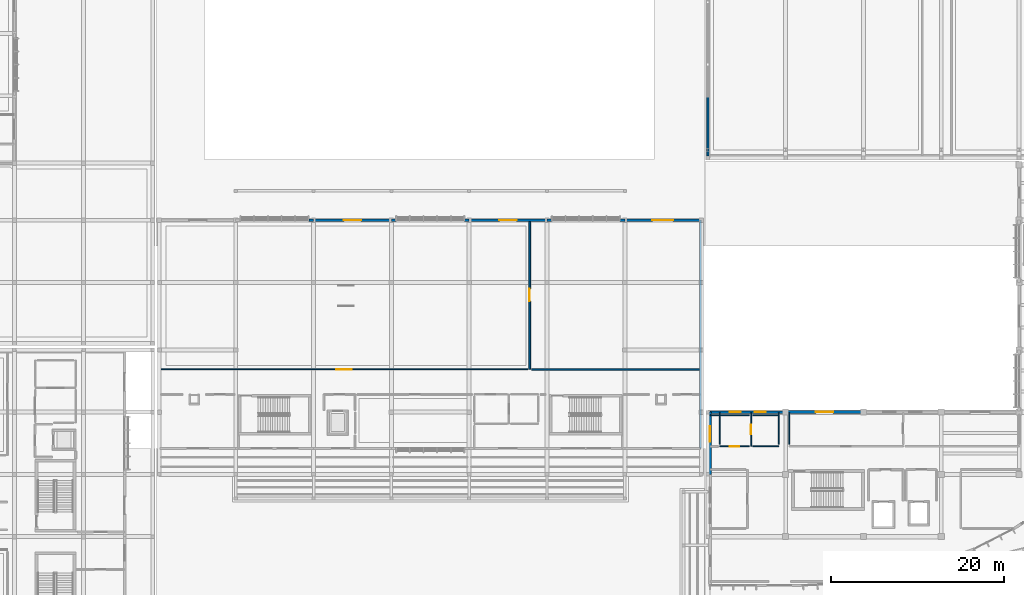
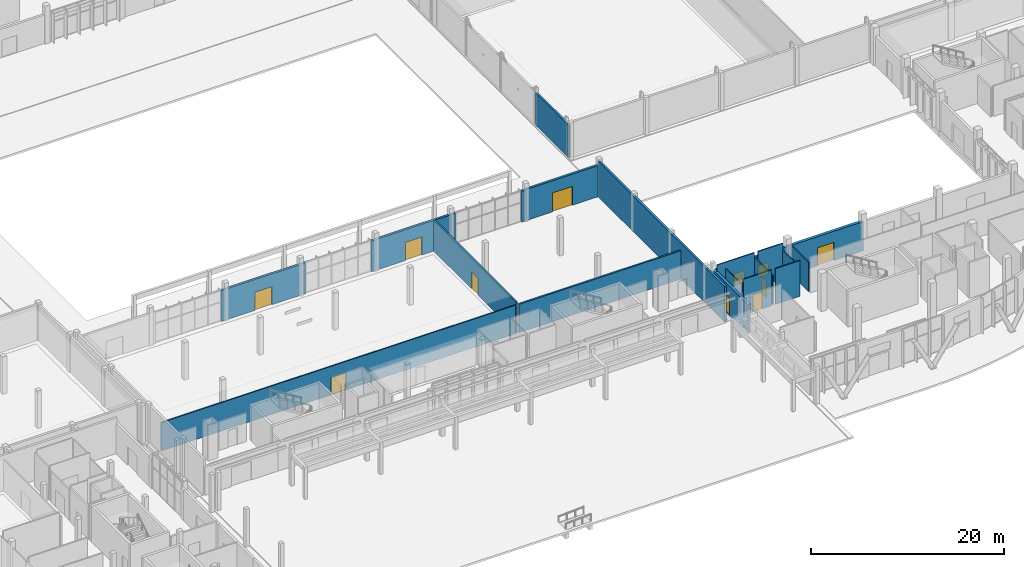
# One storey, part 120 of 151: 24 walls, 9 doors, 2 windows, 11 openings.
"""IFC4 building model written with IfcOpenShell, lengths in metres."""

from ifc_helpers import new_model, si_unit, direction, frame, frame_2d, origin, place, context, subcontext, project, spatial, rectangle, extrude, material, layer, layer_set, type_object, element, fill, save


model = new_model("IFC4")

# Units and contexts
model_context = context("Model", 3, precision=1e-05, world=origin(), true_north=direction((0.0, 1.0)))
body_context = subcontext(model_context, "Body", "Model", "MODEL_VIEW")
ifc_project = project(units=[si_unit("LENGTHUNIT", "METRE"), si_unit("AREAUNIT", "SQUARE_METRE"), si_unit("VOLUMEUNIT", "CUBIC_METRE"), si_unit("PLANEANGLEUNIT", "RADIAN"), si_unit("MASSUNIT", "GRAM", prefix="KILO")], contexts=[model_context])

# Site, building, storey
site_placement = place(None, origin())
site = spatial("IfcSite", under=ifc_project, at=site_placement, CompositionType="ELEMENT")
building_placement = place(site_placement, origin())
building = spatial("IfcBuilding", under=site, at=building_placement, Name="Chiffa Square Polytechnic", CompositionType="ELEMENT")
storey_placement = place(building_placement, origin())
storey = spatial("IfcBuildingStorey", under=building, at=storey_placement, Name="L00", CompositionType="ELEMENT", Elevation=0.0)

# Wall
ifc_material_1 = material(Name="Precast concrete C40/50", Category="concrete")
ifc_layer_1 = layer(ifc_material_1, 0.219970703125, Name="Precast concrete C40/50")
ifc_layer_set_1 = layer_set([ifc_layer_1], Name="Precast concrete C40/50")
wall_type_1 = type_object("IfcWallType", Name="WL-EXT-PC220", PredefinedType="SOLIDWALL", material=ifc_layer_set_1)
wall_1_placement = place(storey_placement, frame((112.199951171875, 65.39990234375, 0.0), z_axis=(0.0, 0.0, 1.0), x_axis=(0.0, -1.0, 0.0)))
element("IfcWall", 1, at=wall_1_placement, inside=storey, type_object=wall_type_1, Name="Exterior wall WE-V2-L00-0113", PredefinedType="SOLIDWALL", context=body_context, shape_type="SweptSolid", body=[
    extrude(rectangle(XDim=6.949951171875, YDim=0.219970703125, at=frame_2d((3.47509765625, 0.0))), origin(), (0.0, 0.0, 1.0), 4.114990234375),
])

# Wall, opening, door
ifc_layer_2 = layer(ifc_material_1, 0.260009765625, Name="Precast concrete C40/50")
ifc_layer_set_2 = layer_set([ifc_layer_2], Name="Precast concrete C40/50")
wall_type_2 = type_object("IfcWallType", Name="WL-EXT-PC260", PredefinedType="SOLIDWALL", material=ifc_layer_set_2)
wall_2_placement = place(storey_placement, frame((111.35009765625, 51.0, 0.0), z_axis=(0.0, 0.0, 1.0), x_axis=(-1.0, 0.0, 0.0)))
wall_2 = element("IfcWall", 2, at=wall_2_placement, inside=storey, type_object=wall_type_2, Name="Exterior wall WE-V4-L00-0193", PredefinedType="SOLIDWALL", context=body_context, shape_type="SweptSolid", body=[
    extrude(rectangle(XDim=8.75, YDim=0.260009765625, at=frame_2d((4.375, 0.0))), origin(), (0.0, 0.0, 1.0), 3.955078125),
])
opening_1_placement = place(wall_2_placement, frame((3.175048828125, 0.0, 0.0)))
opening_1 = element("IfcOpeningElement", 3, at=opening_1_placement, cuts=wall_2, Name="Opening DE-L00-033", PredefinedType="OPENING", context=body_context, shape_type="SweptSolid", body=[
    extrude(rectangle(XDim=2.39990234375, YDim=2.39990234375, at=frame_2d((1.199951171875, 1.199951171875))), frame((0.0, 0.14013671875, 0.0), z_axis=(0.0, -1.0, 0.0), x_axis=(1.0, 0.0, 0.0)), (0.0, 0.0, 1.0), 0.280029296875),
])
ifc_material_2 = material(Name="Aluminium and laminated safety glass", Category="aluminium")
door_type_1 = type_object("IfcDoorType", Name="DR-EXIT-DBL-2400", OperationType="DOUBLE_DOOR_SINGLE_SWING", PredefinedType="DOOR", material=ifc_material_2)
door_1_placement = place(opening_1_placement, origin())
door_1 = element("IfcDoor", 4, at=door_1_placement, inside=storey, type_object=door_type_1, Name="Exterior door DE-L00-033", OperationType="DOUBLE_DOOR_SINGLE_SWING", OverallHeight=2.39990234375, OverallWidth=2.39990234375, PredefinedType="DOOR", context=body_context, shape_type="SweptSolid", body=[
    extrude(rectangle(XDim=2.39990234375, YDim=2.39990234375, at=frame_2d((1.199951171875, 1.199951171875))), frame((0.0, 0.02490234375, 0.0), z_axis=(0.0, -1.0, 0.0), x_axis=(1.0, 0.0, 0.0)), (0.0, 0.0, 1.0), 0.050048828125),
])
fill(opening_1, door_1)

# Walls
wall_3_placement = place(storey_placement, frame((102.60009765625, 51.0, 0.0), z_axis=(0.0, 0.0, 1.0), x_axis=(-1.0, 0.0, 0.0)))
element("IfcWall", 5, at=wall_3_placement, inside=storey, type_object=wall_type_2, Name="Facade column pier V4-L00-0194L", PredefinedType="SOLIDWALL", context=body_context, shape_type="SweptSolid", body=[
    extrude(rectangle(XDim=0.5400390625, YDim=0.260009765625, at=frame_2d((0.27001953125, 0.0))), origin(), (0.0, 0.0, 1.0), 3.905029296875),
])
wall_4_placement = place(storey_placement, frame((94.139892578125, 51.0, 0.0), z_axis=(0.0, 0.0, 1.0), x_axis=(-1.0, 0.0, 0.0)))
element("IfcWall", 6, at=wall_4_placement, inside=storey, type_object=wall_type_2, Name="Facade column pier V4-L00-0194R", PredefinedType="SOLIDWALL", context=body_context, shape_type="SweptSolid", body=[
    extrude(rectangle(XDim=0.539794921875, YDim=0.260009765625, at=frame_2d((0.27001953125, 0.0))), origin(), (0.0, 0.0, 1.0), 3.905029296875),
])

# Wall, opening, door
wall_5_placement = place(storey_placement, frame((93.60009765625, 51.0, 0.0), z_axis=(0.0, 0.0, 1.0), x_axis=(-1.0, 0.0, 0.0)))
wall_5 = element("IfcWall", 7, at=wall_5_placement, inside=storey, type_object=wall_type_2, Name="Exterior wall WE-V4-L00-0195", PredefinedType="SOLIDWALL", context=body_context, shape_type="SweptSolid", body=[
    extrude(rectangle(XDim=9.0, YDim=0.260009765625, at=frame_2d((4.5, 0.0))), origin(), (0.0, 0.0, 1.0), 3.905029296875),
])
opening_2_placement = place(wall_5_placement, frame((3.5, 0.0, 0.0)))
opening_2 = element("IfcOpeningElement", 8, at=opening_2_placement, cuts=wall_5, Name="Opening DE-L00-034", PredefinedType="OPENING", context=body_context, shape_type="SweptSolid", body=[
    extrude(rectangle(XDim=2.0, YDim=2.300048828125, at=frame_2d((1.0, 1.14990234375))), frame((0.0, 0.14013671875, 0.0), z_axis=(0.0, -1.0, 0.0), x_axis=(1.0, 0.0, 0.0)), (0.0, 0.0, 1.0), 0.280029296875),
])
door_type_2 = type_object("IfcDoorType", Name="DR-EXIT-DBL-2000", OperationType="DOUBLE_DOOR_SINGLE_SWING", PredefinedType="DOOR", material=ifc_material_2)
door_2_placement = place(opening_2_placement, origin())
door_2 = element("IfcDoor", 9, at=door_2_placement, inside=storey, type_object=door_type_2, Name="Exterior door DE-L00-034", OperationType="DOUBLE_DOOR_SINGLE_SWING", OverallHeight=2.300048828125, OverallWidth=2.0, PredefinedType="DOOR", context=body_context, shape_type="SweptSolid", body=[
    extrude(rectangle(XDim=2.0, YDim=2.300048828125, at=frame_2d((1.0, 1.14990234375))), frame((0.0, 0.02490234375, 0.0), z_axis=(0.0, -1.0, 0.0), x_axis=(1.0, 0.0, 0.0)), (0.0, 0.0, 1.0), 0.050048828125),
])
fill(opening_2, door_2)

# Walls
wall_6_placement = place(storey_placement, frame((84.60009765625, 51.0, 0.0), z_axis=(0.0, 0.0, 1.0), x_axis=(-1.0, 0.0, 0.0)))
element("IfcWall", 10, at=wall_6_placement, inside=storey, type_object=wall_type_2, Name="Facade column pier V4-L00-0196L", PredefinedType="SOLIDWALL", context=body_context, shape_type="SweptSolid", body=[
    extrude(rectangle(XDim=0.5400390625, YDim=0.260009765625, at=frame_2d((0.27001953125, 0.0))), origin(), (0.0, 0.0, 1.0), 3.905029296875),
])
wall_7_placement = place(storey_placement, frame((76.139892578125, 51.0, 0.0), z_axis=(0.0, 0.0, 1.0), x_axis=(-1.0, 0.0, 0.0)))
element("IfcWall", 11, at=wall_7_placement, inside=storey, type_object=wall_type_2, Name="Facade column pier V4-L00-0196R", PredefinedType="SOLIDWALL", context=body_context, shape_type="SweptSolid", body=[
    extrude(rectangle(XDim=0.539794921875, YDim=0.260009765625, at=frame_2d((0.27001953125, 0.0))), origin(), (0.0, 0.0, 1.0), 3.905029296875),
])

# Wall, opening, door
wall_8_placement = place(storey_placement, frame((75.60009765625, 51.0, 0.0), z_axis=(0.0, 0.0, 1.0), x_axis=(-1.0, 0.0, 0.0)))
wall_8 = element("IfcWall", 12, at=wall_8_placement, inside=storey, type_object=wall_type_2, Name="Exterior wall WE-V4-L00-0197", PredefinedType="SOLIDWALL", context=body_context, shape_type="SweptSolid", body=[
    extrude(rectangle(XDim=9.0, YDim=0.260009765625, at=frame_2d((4.5, 0.0))), origin(), (0.0, 0.0, 1.0), 3.905029296875),
])
opening_3_placement = place(wall_8_placement, frame((3.5, 0.0, 0.0)))
opening_3 = element("IfcOpeningElement", 13, at=opening_3_placement, cuts=wall_8, Name="Opening DE-L00-035", PredefinedType="OPENING", context=body_context, shape_type="SweptSolid", body=[
    extrude(rectangle(XDim=2.0, YDim=2.300048828125, at=frame_2d((1.0, 1.14990234375))), frame((0.0, 0.14013671875, 0.0), z_axis=(0.0, -1.0, 0.0), x_axis=(1.0, 0.0, 0.0)), (0.0, 0.0, 1.0), 0.280029296875),
])
door_3_placement = place(opening_3_placement, origin())
door_3 = element("IfcDoor", 14, at=door_3_placement, inside=storey, type_object=door_type_2, Name="Exterior door DE-L00-035", OperationType="DOUBLE_DOOR_SINGLE_SWING", OverallHeight=2.300048828125, OverallWidth=2.0, PredefinedType="DOOR", context=body_context, shape_type="SweptSolid", body=[
    extrude(rectangle(XDim=2.0, YDim=2.300048828125, at=frame_2d((1.0, 1.14990234375))), frame((0.0, 0.02490234375, 0.0), z_axis=(0.0, -1.0, 0.0), x_axis=(1.0, 0.0, 0.0)), (0.0, 0.0, 1.0), 0.050048828125),
])
fill(opening_3, door_3)

# Wall
wall_9_placement = place(storey_placement, frame((66.60009765625, 51.0, 0.0), z_axis=(0.0, 0.0, 1.0), x_axis=(-1.0, 0.0, 0.0)))
element("IfcWall", 15, at=wall_9_placement, inside=storey, type_object=wall_type_2, Name="Facade column pier V4-L00-0198L", PredefinedType="SOLIDWALL", context=body_context, shape_type="SweptSolid", body=[
    extrude(rectangle(XDim=0.5400390625, YDim=0.260009765625, at=frame_2d((0.27001953125, 0.0))), origin(), (0.0, 0.0, 1.0), 3.905029296875),
])

# Wall, openings, windows
ifc_layer_3 = layer(ifc_material_1, 0.300048828125, Name="Precast concrete C40/50")
ifc_layer_set_3 = layer_set([ifc_layer_3], Name="Precast concrete C40/50")
wall_type_3 = type_object("IfcWallType", Name="WL-EXT-PC300", PredefinedType="SOLIDWALL", material=ifc_layer_set_3)
wall_10_placement = place(storey_placement, frame((121.199951171875, 28.800048828125, 0.0), z_axis=(0.0, 0.0, 1.0), x_axis=(-1.0, 0.0, 0.0)))
wall_10 = element("IfcWall", 16, at=wall_10_placement, inside=storey, type_object=wall_type_3, Name="Exterior wall WE-V1-L00-0017", PredefinedType="SOLIDWALL", context=body_context, shape_type="SweptSolid", body=[
    extrude(rectangle(XDim=8.75, YDim=0.300048828125, at=frame_2d((4.375, 0.0))), origin(), (0.0, 0.0, 1.0), 3.705078125),
])
opening_4_placement = place(wall_10_placement, frame((2.2919921875, 0.0, 0.89990234375)))
opening_4 = element("IfcOpeningElement", 17, at=opening_4_placement, cuts=wall_10, Name="Opening W-18", PredefinedType="OPENING", context=body_context, shape_type="SweptSolid", body=[
    extrude(rectangle(XDim=1.25, YDim=1.5, at=frame_2d((0.625, 0.75))), frame((0.0, 0.16015625, 0.0), z_axis=(0.0, -1.0, 0.0), x_axis=(1.0, 0.0, 0.0)), (0.0, 0.0, 1.0), 0.320068359375),
])
opening_5_placement = place(wall_10_placement, frame((5.2080078125, 0.0, 0.89990234375)))
opening_5 = element("IfcOpeningElement", 18, at=opening_5_placement, cuts=wall_10, Name="Opening W-18", PredefinedType="OPENING", context=body_context, shape_type="SweptSolid", body=[
    extrude(rectangle(XDim=1.25, YDim=1.5, at=frame_2d((0.625, 0.75))), frame((0.0, 0.16015625, 0.0), z_axis=(0.0, -1.0, 0.0), x_axis=(1.0, 0.0, 0.0)), (0.0, 0.0, 1.0), 0.320068359375),
])
ifc_material_3 = material(Name="Double glazing in thermally broken aluminium frame", Category="aluminium")
window_type = type_object("IfcWindowType", Name="WIN-OFF-1250X1500", PartitioningType="DOUBLE_PANEL_VERTICAL", PredefinedType="WINDOW", material=ifc_material_3)
window_1_placement = place(opening_4_placement, origin())
window_1 = element("IfcWindow", 19, at=window_1_placement, inside=storey, type_object=window_type, Name="Facade window WN-L00-0011", OverallHeight=1.5, OverallWidth=1.25, PartitioningType="DOUBLE_PANEL_VERTICAL", PredefinedType="WINDOW", context=body_context, shape_type="SweptSolid", body=[
    extrude(rectangle(XDim=1.25, YDim=1.5, at=frame_2d((0.625, 0.75))), frame((0.0, 0.030029296875, 0.0), z_axis=(0.0, -1.0, 0.0), x_axis=(1.0, 0.0, 0.0)), (0.0, 0.0, 1.0), 0.06005859375),
])
fill(opening_4, window_1)
window_2_placement = place(opening_5_placement, origin())
window_2 = element("IfcWindow", 20, at=window_2_placement, inside=storey, type_object=window_type, Name="Facade window WN-L00-0012", OverallHeight=1.5, OverallWidth=1.25, PartitioningType="DOUBLE_PANEL_VERTICAL", PredefinedType="WINDOW", context=body_context, shape_type="SweptSolid", body=[
    extrude(rectangle(XDim=1.25, YDim=1.5, at=frame_2d((0.625, 0.75))), frame((0.0, 0.030029296875, 0.0), z_axis=(0.0, -1.0, 0.0), x_axis=(1.0, 0.0, 0.0)), (0.0, 0.0, 1.0), 0.06005859375),
])
fill(opening_5, window_2)

# Wall, opening, door
ifc_layer_4 = layer(ifc_material_1, 0.340087890625, Name="Precast concrete C40/50")
ifc_layer_set_4 = layer_set([ifc_layer_4], Name="Precast concrete C40/50")
wall_type_4 = type_object("IfcWallType", Name="WL-EXT-PC340", PredefinedType="SOLIDWALL", material=ifc_layer_set_4)
wall_11_placement = place(storey_placement, frame((130.199951171875, 28.800048828125, 0.0), z_axis=(0.0, 0.0, 1.0), x_axis=(-1.0, 0.0, 0.0)))
wall_11 = element("IfcWall", 21, at=wall_11_placement, inside=storey, type_object=wall_type_4, Name="Exterior wall WE-V1-L00-0016", PredefinedType="SOLIDWALL", context=body_context, shape_type="SweptSolid", body=[
    extrude(rectangle(XDim=9.0, YDim=0.340087890625, at=frame_2d((4.5, 0.0))), origin(), (0.0, 0.0, 1.0), 3.705078125),
])
opening_6_placement = place(wall_11_placement, frame((3.5, 0.0, 0.0)))
opening_6 = element("IfcOpeningElement", 22, at=opening_6_placement, cuts=wall_11, Name="Opening DE-L00-012", PredefinedType="OPENING", context=body_context, shape_type="SweptSolid", body=[
    extrude(rectangle(XDim=2.0, YDim=2.300048828125, at=frame_2d((1.0, 1.14990234375))), frame((0.0, 0.18017578125, 0.0), z_axis=(0.0, -1.0, 0.0), x_axis=(1.0, 0.0, 0.0)), (0.0, 0.0, 1.0), 0.360107421875),
])
door_4_placement = place(opening_6_placement, origin())
door_4 = element("IfcDoor", 23, at=door_4_placement, inside=storey, type_object=door_type_2, Name="Exterior door DE-L00-012", OperationType="DOUBLE_DOOR_SINGLE_SWING", OverallHeight=2.300048828125, OverallWidth=2.0, PredefinedType="DOOR", context=body_context, shape_type="SweptSolid", body=[
    extrude(rectangle(XDim=2.0, YDim=2.300048828125, at=frame_2d((1.0, 1.14990234375))), frame((0.0, 0.02490234375, 0.0), z_axis=(0.0, -1.0, 0.0), x_axis=(1.0, 0.0, 0.0)), (0.0, 0.0, 1.0), 0.050048828125),
])
fill(opening_6, door_4)

wall_12_placement = place(storey_placement, frame((112.449951171875, 28.800048828125, 0.0), z_axis=(0.0, 0.0, 1.0), x_axis=(0.0, -1.0, 0.0)))
wall_12 = element("IfcWall", 24, at=wall_12_placement, inside=storey, type_object=wall_type_4, Name="Exterior wall WE-V1-L00-0018", PredefinedType="SOLIDWALL", context=body_context, shape_type="SweptSolid", body=[
    extrude(rectangle(XDim=7.199951171875, YDim=0.340087890625, at=frame_2d((3.60009765625, 0.0))), origin(), (0.0, 0.0, 1.0), 3.705078125),
])
opening_7_placement = place(wall_12_placement, frame((1.6201171875, 0.0, 0.0)))
opening_7 = element("IfcOpeningElement", 25, at=opening_7_placement, cuts=wall_12, Name="Opening DE-L00-013", PredefinedType="OPENING", context=body_context, shape_type="SweptSolid", body=[
    extrude(rectangle(XDim=1.800048828125, YDim=2.199951171875, at=frame_2d((0.89990234375, 1.10009765625))), frame((0.0, 0.18017578125, 0.0), z_axis=(0.0, -1.0, 0.0), x_axis=(1.0, 0.0, 0.0)), (0.0, 0.0, 1.0), 0.360107421875),
])
ifc_material_4 = material(Name="Painted galvanized steel", Category="steel")
door_type_3 = type_object("IfcDoorType", Name="DR-EXIT-DBL-1800", OperationType="DOUBLE_DOOR_SINGLE_SWING", PredefinedType="DOOR", material=ifc_material_4)
door_5_placement = place(opening_7_placement, origin())
door_5 = element("IfcDoor", 26, at=door_5_placement, inside=storey, type_object=door_type_3, Name="Exterior door DE-L00-013", OperationType="DOUBLE_DOOR_SINGLE_SWING", OverallHeight=2.199951171875, OverallWidth=1.800048828125, PredefinedType="DOOR", context=body_context, shape_type="SweptSolid", body=[
    extrude(rectangle(XDim=1.800048828125, YDim=2.199951171875, at=frame_2d((0.89990234375, 1.10009765625))), frame((0.0, 0.02490234375, 0.0), z_axis=(0.0, -1.0, 0.0), x_axis=(1.0, 0.0, 0.0)), (0.0, 0.0, 1.0), 0.050048828125),
])
fill(opening_7, door_5)

# Wall
ifc_material_5 = material(Name="Gypsum board on steel stud", Category="steel")
ifc_layer_5 = layer(ifc_material_5, 0.125, Name="Gypsum board on steel stud")
ifc_layer_set_5 = layer_set([ifc_layer_5], Name="Gypsum board on steel stud")
wall_type_5 = type_object("IfcWallType", Name="WL-PART-125", PredefinedType="PARTITIONING", material=ifc_layer_set_5)
wall_13_placement = place(storey_placement, frame((121.60009765625, 25.070068359375, 0.0), z_axis=(0.0, 0.0, 1.0), x_axis=(0.0, 1.0, 0.0)))
element("IfcWall", 27, at=wall_13_placement, inside=storey, type_object=wall_type_5, Name="Interior partition WP-V1-L00-0119", PredefinedType="PARTITIONING", context=body_context, shape_type="SweptSolid", body=[
    extrude(rectangle(XDim=3.675048828125, YDim=0.125, at=frame_2d((1.83740234375, 0.0))), origin(), (0.0, 0.0, 1.0), 3.705078125),
])

# Wall, opening, door
ifc_layer_6 = layer(ifc_material_5, 0.135009765625, Name="Gypsum board on steel stud")
ifc_layer_set_6 = layer_set([ifc_layer_6], Name="Gypsum board on steel stud")
wall_type_6 = type_object("IfcWallType", Name="WL-PART-135", PredefinedType="PARTITIONING", material=ifc_layer_set_6)
wall_14_placement = place(storey_placement, frame((48.905029296875, 33.75, 0.0), z_axis=(0.0, 0.0, 1.0), x_axis=(1.0, 0.0, 0.0)))
wall_14 = element("IfcWall", 28, at=wall_14_placement, inside=storey, type_object=wall_type_6, Name="Interior partition WP-V4-L00-0193", PredefinedType="PARTITIONING", context=body_context, shape_type="SweptSolid", body=[
    extrude(rectangle(XDim=42.474853515625, YDim=0.135009765625, at=frame_2d((21.2373046875, 0.0))), origin(), (0.0, 0.0, 1.0), 3.60498046875),
])
opening_8_placement = place(wall_14_placement, frame((20.337890625, 0.0, 0.0)))
opening_8 = element("IfcOpeningElement", 29, at=opening_8_placement, cuts=wall_14, Name="Opening DI-L00-108", PredefinedType="OPENING", context=body_context, shape_type="SweptSolid", body=[
    extrude(rectangle(XDim=1.800048828125, YDim=2.199951171875, at=frame_2d((0.89990234375, 1.10009765625))), frame((0.0, 0.07763671875, 0.0), z_axis=(0.0, -1.0, 0.0), x_axis=(1.0, 0.0, 0.0)), (0.0, 0.0, 1.0), 0.155029296875),
])
ifc_material_6 = material(Name="Solid oak fire door pair")
door_type_4 = type_object("IfcDoorType", Name="DR-CORR-DBL-1800", OperationType="DOUBLE_DOOR_SINGLE_SWING", PredefinedType="DOOR", material=ifc_material_6)
door_6_placement = place(opening_8_placement, origin())
door_6 = element("IfcDoor", 30, at=door_6_placement, inside=storey, type_object=door_type_4, Name="Interior room door DI-L00-108", OperationType="DOUBLE_DOOR_SINGLE_SWING", OverallHeight=2.199951171875, OverallWidth=1.800048828125, PredefinedType="DOOR", context=body_context, shape_type="SweptSolid", body=[
    extrude(rectangle(XDim=1.800048828125, YDim=2.199951171875, at=frame_2d((0.89990234375, 1.10009765625))), frame((0.0, 0.02490234375, 0.0), z_axis=(0.0, -1.0, 0.0), x_axis=(1.0, 0.0, 0.0)), (0.0, 0.0, 1.0), 0.050048828125),
])
fill(opening_8, door_6)

ifc_material_7 = material(Name="Autoclaved aerated concrete blockwork", Category="masonry")
ifc_layer_7 = layer(ifc_material_7, 0.199951171875, Name="Autoclaved aerated concrete blockwork")
ifc_layer_set_7 = layer_set([ifc_layer_7], Name="Autoclaved aerated concrete blockwork")
wall_type_7 = type_object("IfcWallType", Name="WL-PART-EI120-200", PredefinedType="PARTITIONING", material=ifc_layer_set_7)
wall_15_placement = place(storey_placement, frame((91.60009765625, 33.75, 0.0), z_axis=(0.0, 0.0, 1.0), x_axis=(0.0, 1.0, 0.0)))
wall_15 = element("IfcWall", 31, at=wall_15_placement, inside=storey, type_object=wall_type_7, Name="Interior partition WP-V4-L00-0170", PredefinedType="PARTITIONING", context=body_context, shape_type="SweptSolid", body=[
    extrude(rectangle(XDim=17.195068359375, YDim=0.199951171875, at=frame_2d((8.59765625, 0.0))), origin(), (0.0, 0.0, 1.0), 3.905029296875),
])
opening_9_placement = place(wall_15_placement, frame((7.89697265625, 0.0, 0.0)))
opening_9 = element("IfcOpeningElement", 32, at=opening_9_placement, cuts=wall_15, Name="Opening DI-L00-101", PredefinedType="OPENING", context=body_context, shape_type="SweptSolid", body=[
    extrude(rectangle(XDim=1.39990234375, YDim=2.14990234375, at=frame_2d((0.699951171875, 1.074951171875))), frame((0.0, 0.10986328125, 0.0), z_axis=(0.0, -1.0, 0.0), x_axis=(1.0, 0.0, 0.0)), (0.0, 0.0, 1.0), 0.219970703125),
])
ifc_material_8 = material(Name="Louvred painted steel plant door", Category="steel")
door_type_5 = type_object("IfcDoorType", Name="DR-PLANT-1400", OperationType="DOUBLE_DOOR_SINGLE_SWING", PredefinedType="DOOR", material=ifc_material_8)
door_7_placement = place(opening_9_placement, origin())
door_7 = element("IfcDoor", 33, at=door_7_placement, inside=storey, type_object=door_type_5, Name="Interior room door DI-L00-101", OperationType="DOUBLE_DOOR_SINGLE_SWING", OverallHeight=2.14990234375, OverallWidth=1.39990234375, PredefinedType="DOOR", context=body_context, shape_type="SweptSolid", body=[
    extrude(rectangle(XDim=1.39990234375, YDim=2.14990234375, at=frame_2d((0.699951171875, 1.074951171875))), frame((0.0, 0.02490234375, 0.0), z_axis=(0.0, -1.0, 0.0), x_axis=(1.0, 0.0, 0.0)), (0.0, 0.0, 1.0), 0.050048828125),
])
fill(opening_9, door_7)

# Wall
wall_16_placement = place(storey_placement, frame((91.820068359375, 33.75, 0.0), z_axis=(0.0, 0.0, 1.0), x_axis=(1.0, 0.0, 0.0)))
element("IfcWall", 34, at=wall_16_placement, inside=storey, type_object=wall_type_7, Name="Interior partition WP-V4-L00-0171", PredefinedType="PARTITIONING", context=body_context, shape_type="SweptSolid", body=[
    extrude(rectangle(XDim=19.474853515625, YDim=0.199951171875, at=frame_2d((9.7373046875, 0.0))), origin(), (0.0, 0.0, 1.0), 3.60498046875),
])

# Wall, opening, door
ifc_material_9 = material(Name="Moisture-resistant board partition")
ifc_layer_8 = layer(ifc_material_9, 0.1201171875, Name="Moisture-resistant board partition")
ifc_layer_set_8 = layer_set([ifc_layer_8], Name="Moisture-resistant board partition")
wall_type_8 = type_object("IfcWallType", Name="WL-PART-WC-120", PredefinedType="PARTITIONING", material=ifc_layer_set_8)
wall_17_placement = place(storey_placement, frame((117.199951171875, 24.85009765625, 0.0), z_axis=(0.0, 0.0, 1.0), x_axis=(0.0, 1.0, 0.0)))
wall_17 = element("IfcWall", 35, at=wall_17_placement, inside=storey, type_object=wall_type_8, Name="Interior partition WP-V1-L00-0066", PredefinedType="PARTITIONING", context=body_context, shape_type="SweptSolid", body=[
    extrude(rectangle(XDim=3.89501953125, YDim=0.1201171875, at=frame_2d((1.947509765625, 0.0))), origin(), (0.0, 0.0, 1.0), 3.705078125),
])
opening_10_placement = place(wall_17_placement, frame((1.39697265625, 0.0, 0.0)))
opening_10 = element("IfcOpeningElement", 36, at=opening_10_placement, cuts=wall_17, Name="Opening DI-L00-064", PredefinedType="OPENING", context=body_context, shape_type="SweptSolid", body=[
    extrude(rectangle(XDim=1.10009765625, YDim=2.14990234375, at=frame_2d((0.550048828125, 1.074951171875))), frame((0.0, 0.070068359375, 0.0), z_axis=(0.0, -1.0, 0.0), x_axis=(1.0, 0.0, 0.0)), (0.0, 0.0, 1.0), 0.14013671875),
])
ifc_material_10 = material(Name="Solid core ash veneer door")
door_type_6 = type_object("IfcDoorType", Name="DR-INT-1100", OperationType="NOTDEFINED", PredefinedType="DOOR", material=ifc_material_10)
door_8_placement = place(opening_10_placement, origin())
door_8 = element("IfcDoor", 37, at=door_8_placement, inside=storey, type_object=door_type_6, Name="Interior room door DI-L00-064", OperationType="SINGLE_SWING_LEFT", OverallHeight=2.14990234375, OverallWidth=1.10009765625, PredefinedType="DOOR", context=body_context, shape_type="SweptSolid", body=[
    extrude(rectangle(XDim=1.10009765625, YDim=2.14990234375, at=frame_2d((0.550048828125, 1.074951171875))), frame((0.0, 0.02490234375, 0.0), z_axis=(0.0, -1.0, 0.0), x_axis=(1.0, 0.0, 0.0)), (0.0, 0.0, 1.0), 0.050048828125),
])
fill(opening_10, door_8)

# Walls
for number, where, z_axis, x_axis, name in (
    (38, (117.419921875, 24.85009765625, 0.0), (0.0, 0.0, 1.0), (1.0, 0.0, 0.0), "Interior partition WP-V1-L00-0067"),
    (39, (117.419921875, 28.449951171875, 0.0), (0.0, 0.0, 1.0), (1.0, 0.0, 0.0), "Interior partition WP-V1-L00-0068"),
):
    element("IfcWall", number, at=place(storey_placement, frame(where, z_axis=z_axis, x_axis=x_axis)), inside=storey, type_object=wall_type_8, Name=name, PredefinedType="PARTITIONING", context=body_context, shape_type="SweptSolid", body=[
        extrude(rectangle(XDim=2.97998046875, YDim=0.1201171875, at=frame_2d((1.489990234375, 0.0))), origin(), (0.0, 0.0, 1.0), 4.52001953125),
    ])
wall_18_placement = place(storey_placement, frame((120.39990234375, 25.070068359375, 0.0), z_axis=(0.0, 0.0, 1.0), x_axis=(0.0, 1.0, 0.0)))
element("IfcWall", 40, at=wall_18_placement, inside=storey, type_object=wall_type_8, Name="Interior partition WP-V1-L00-0069", PredefinedType="PARTITIONING", context=body_context, shape_type="SweptSolid", body=[
    extrude(rectangle(XDim=3.675048828125, YDim=0.1201171875, at=frame_2d((1.83740234375, 0.0))), origin(), (0.0, 0.0, 1.0), 3.705078125),
])
wall_19_placement = place(storey_placement, frame((112.5048828125, 28.449951171875, 0.0), z_axis=(0.0, 0.0, 1.0), x_axis=(1.0, 0.0, 0.0)))
element("IfcWall", 41, at=wall_19_placement, inside=storey, type_object=wall_type_8, Name="Interior partition WP-V1-L00-0078", PredefinedType="PARTITIONING", context=body_context, shape_type="SweptSolid", body=[
    extrude(rectangle(XDim=4.47509765625, YDim=0.1201171875, at=frame_2d((2.237548828125, 0.0))), origin(), (0.0, 0.0, 1.0), 4.52001953125),
])

# Wall, opening, door
wall_20_placement = place(storey_placement, frame((113.60009765625, 24.85009765625, 0.0), z_axis=(0.0, 0.0, 1.0), x_axis=(1.0, 0.0, 0.0)))
wall_20 = element("IfcWall", 42, at=wall_20_placement, inside=storey, type_object=wall_type_8, Name="Interior partition WP-V1-L00-0079", PredefinedType="PARTITIONING", context=body_context, shape_type="SweptSolid", body=[
    extrude(rectangle(XDim=3.3798828125, YDim=0.1201171875, at=frame_2d((1.68994140625, 0.0))), origin(), (0.0, 0.0, 1.0), 4.52001953125),
])
opening_11_placement = place(wall_20_placement, frame((1.139892578125, 0.0, 0.0)))
opening_11 = element("IfcOpeningElement", 43, at=opening_11_placement, cuts=wall_20, Name="Opening DI-L00-067", PredefinedType="OPENING", context=body_context, shape_type="SweptSolid", body=[
    extrude(rectangle(XDim=1.10009765625, YDim=2.14990234375, at=frame_2d((0.550048828125, 1.074951171875))), frame((0.0, 0.070068359375, 0.0), z_axis=(0.0, -1.0, 0.0), x_axis=(1.0, 0.0, 0.0)), (0.0, 0.0, 1.0), 0.14013671875),
])
door_9_placement = place(opening_11_placement, origin())
door_9 = element("IfcDoor", 44, at=door_9_placement, inside=storey, type_object=door_type_6, Name="Interior room door DI-L00-067", OperationType="SINGLE_SWING_LEFT", OverallHeight=2.14990234375, OverallWidth=1.10009765625, PredefinedType="DOOR", context=body_context, shape_type="SweptSolid", body=[
    extrude(rectangle(XDim=1.10009765625, YDim=2.14990234375, at=frame_2d((0.550048828125, 1.074951171875))), frame((0.0, 0.02490234375, 0.0), z_axis=(0.0, -1.0, 0.0), x_axis=(1.0, 0.0, 0.0)), (0.0, 0.0, 1.0), 0.050048828125),
])
fill(opening_11, door_9)

# Walls
wall_21_placement = place(storey_placement, frame((113.60009765625, 25.070068359375, 0.0), z_axis=(0.0, 0.0, 1.0), x_axis=(0.0, 1.0, 0.0)))
element("IfcWall", 45, at=wall_21_placement, inside=storey, type_object=wall_type_8, Name="Interior partition WP-V1-L00-0080", PredefinedType="PARTITIONING", context=body_context, shape_type="SweptSolid", body=[
    extrude(rectangle(XDim=3.675048828125, YDim=0.1201171875, at=frame_2d((1.83740234375, 0.0))), origin(), (0.0, 0.0, 1.0), 3.705078125),
])
ifc_material_11 = material(Name="Concrete C35/45", Category="concrete")
ifc_layer_9 = layer(ifc_material_11, 0.25, Name="Concrete C35/45")
ifc_layer_set_9 = layer_set([ifc_layer_9], Name="Concrete C35/45")
wall_type_9 = type_object("IfcWallType", Name="WL-SJ-250", PredefinedType="SHEAR", material=ifc_layer_set_9)
wall_22_placement = place(storey_placement, frame((111.35009765625, 24.60009765625, 0.0), z_axis=(0.0, 0.0, 1.0), x_axis=(0.0, 1.0, 0.0)))
element("IfcWall", 46, at=wall_22_placement, inside=storey, type_object=wall_type_9, Name="Seismic-joint fire wall WE-V4-L00-0192", PredefinedType="SHEAR", context=body_context, shape_type="SweptSolid", body=[
    extrude(rectangle(XDim=26.39990234375, YDim=0.25, at=frame_2d((13.199951171875, 0.0))), origin(), (0.0, 0.0, 1.0), 4.52001953125),
])

save(model, "model.ifc")
